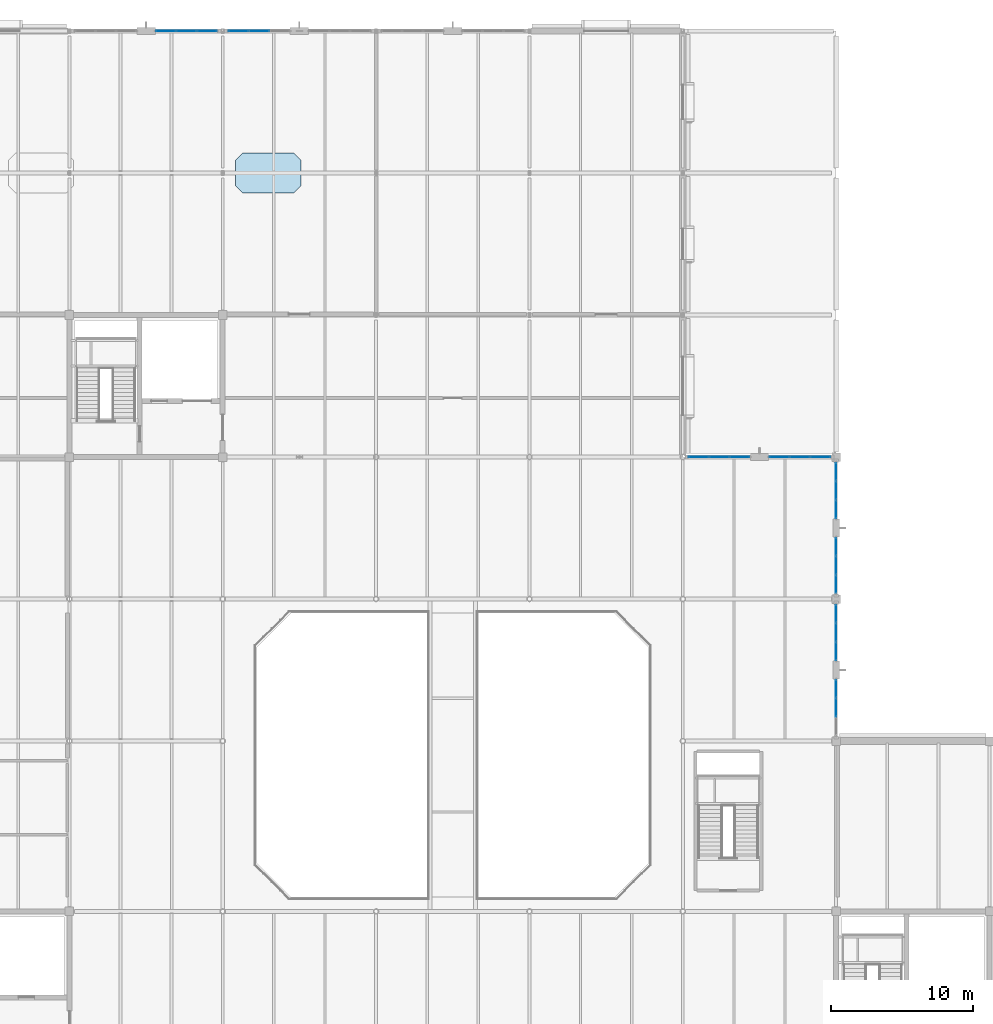
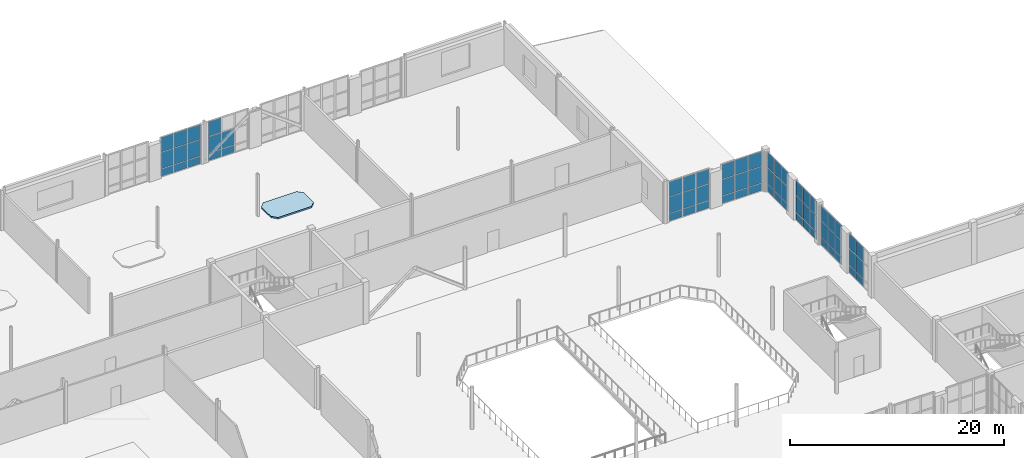
# One storey, part 69 of 100: 65 plates, 1 slab, 8 elements without a shape of their own.
"""IFC4 building model written with IfcOpenShell, lengths in metres."""

from ifc_helpers import new_model, si_unit, direction, frame, origin, origin_2d, place, context, subcontext, project, spatial, polyline, rectangle, outline, extrude, material, layer, layer_set, type_object, element, aggregate, save


model = new_model("IFC4")

# Units and contexts
model_context = context("Model", 3, precision=1e-05, world=origin(), true_north=direction((0.0, 1.0)))
body_context = subcontext(model_context, "Body", "Model", "MODEL_VIEW")
ifc_project = project(units=[si_unit("LENGTHUNIT", "METRE"), si_unit("AREAUNIT", "SQUARE_METRE"), si_unit("VOLUMEUNIT", "CUBIC_METRE"), si_unit("PLANEANGLEUNIT", "RADIAN"), si_unit("MASSUNIT", "GRAM", prefix="KILO")], contexts=[model_context])

# Site, building, storey
site_placement = place(None, origin())
site = spatial("IfcSite", under=ifc_project, at=site_placement, CompositionType="ELEMENT")
building_placement = place(site_placement, origin())
building = spatial("IfcBuilding", under=site, at=building_placement, Name="Tasgan Crest Museum", CompositionType="ELEMENT")
storey_placement = place(building_placement, frame((0.0, 0.0, 9.60009765625)))
storey = spatial("IfcBuildingStorey", under=building, at=storey_placement, Name="L02", CompositionType="ELEMENT", Elevation=9.60009765625)

# Curtain wall, plates
ifc_material_1 = material(Name="Triple-Glazed Aluminium Curtain Wall", Category="aluminium")
ifc_layer_1 = layer(ifc_material_1, 0.179931640625, Name="CW-DRUM-Y10-48")
ifc_layer_set_1 = layer_set([ifc_layer_1], Name="Triple-Glazed Aluminium Curtain Wall")
curtain_wall_type_1 = type_object("IfcCurtainWallType", Name="CW-DRUM-Y10-48", PredefinedType="NOTDEFINED", material=ifc_layer_set_1)
curtain_wall_1_placement = place(storey_placement, origin())
curtain_wall_1 = element("IfcCurtainWall", 1, at=curtain_wall_1_placement, inside=storey, type_object=curtain_wall_type_1, Name="Curtain wall L02 075", PredefinedType="NOTDEFINED")
ifc_material_2 = material(Name="Insulated Spandrel Glass", Category="glass")
ifc_layer_2 = layer(ifc_material_2, 0.052001953125, Name="CW-PANEL-SPANDREL")
ifc_layer_set_2 = layer_set([ifc_layer_2], Name="Insulated Spandrel Glass")
plate_type_1 = type_object("IfcPlateType", Name="CW-PANEL-SPANDREL", PredefinedType="CURTAIN_PANEL", material=ifc_layer_set_2)
plate_1_placement = place(storey_placement, frame((108.0, 64.360107421875, 0.059814453125), z_axis=(0.0, 0.0, 1.0), x_axis=(0.0, 1.0, 0.0)))
plate_1 = element("IfcPlate", 2, at=plate_1_placement, type_object=plate_type_1, Name="CW04 panel 2.1", PredefinedType="CURTAIN_PANEL", context=body_context, shape_type="SweptSolid", body=[
    extrude(rectangle(XDim=1.27001953125, YDim=0.028076171875, at=origin_2d()), origin(), (0.0, 0.0, 1.0), 0.81005859375),
])
plate_2_placement = place(storey_placement, frame((108.0, 65.675048828125, 0.059814453125), z_axis=(0.0, 0.0, 1.0), x_axis=(0.0, 1.0, 0.0)))
plate_2 = element("IfcPlate", 3, at=plate_2_placement, type_object=plate_type_1, Name="CW04 panel 3.1", PredefinedType="CURTAIN_PANEL", context=body_context, shape_type="SweptSolid", body=[
    extrude(rectangle(XDim=1.239990234375, YDim=0.028076171875, at=origin_2d()), origin(), (0.0, 0.0, 1.0), 0.81005859375),
])

curtain_wall_2_placement = place(storey_placement, origin())
curtain_wall_2 = element("IfcCurtainWall", 4, at=curtain_wall_2_placement, inside=storey, type_object=curtain_wall_type_1, Name="Curtain wall L02 076", PredefinedType="NOTDEFINED")
plate_3_placement = place(storey_placement, frame((108.0, 68.324951171875, 0.059814453125), z_axis=(0.0, 0.0, 1.0), x_axis=(0.0, 1.0, 0.0)))
plate_3 = element("IfcPlate", 5, at=plate_3_placement, type_object=plate_type_1, Name="CW04 panel 1.1", PredefinedType="CURTAIN_PANEL", context=body_context, shape_type="SweptSolid", body=[
    extrude(rectangle(XDim=1.239990234375, YDim=0.028076171875, at=origin_2d()), origin(), (0.0, 0.0, 1.0), 0.81005859375),
])
plate_4_placement = place(storey_placement, frame((108.0, 69.639892578125, 0.059814453125), z_axis=(0.0, 0.0, 1.0), x_axis=(0.0, 1.0, 0.0)))
plate_4 = element("IfcPlate", 6, at=plate_4_placement, type_object=plate_type_1, Name="CW04 panel 2.1", PredefinedType="CURTAIN_PANEL", context=body_context, shape_type="SweptSolid", body=[
    extrude(rectangle(XDim=1.27001953125, YDim=0.028076171875, at=origin_2d()), origin(), (0.0, 0.0, 1.0), 0.81005859375),
])
plate_5_placement = place(storey_placement, frame((108.0, 70.955078125, 0.059814453125), z_axis=(0.0, 0.0, 1.0), x_axis=(0.0, 1.0, 0.0)))
plate_5 = element("IfcPlate", 7, at=plate_5_placement, type_object=plate_type_1, Name="CW04 panel 3.1", PredefinedType="CURTAIN_PANEL", context=body_context, shape_type="SweptSolid", body=[
    extrude(rectangle(XDim=1.239990234375, YDim=0.028076171875, at=origin_2d()), origin(), (0.0, 0.0, 1.0), 0.81005859375),
])

curtain_wall_3_placement = place(storey_placement, origin())
curtain_wall_3 = element("IfcCurtainWall", 8, at=curtain_wall_3_placement, inside=storey, type_object=curtain_wall_type_1, Name="Curtain wall L02 077", PredefinedType="NOTDEFINED")
plate_6_placement = place(storey_placement, frame((108.0, 73.044921875, 0.059814453125), z_axis=(0.0, 0.0, 1.0), x_axis=(0.0, 1.0, 0.0)))
plate_6 = element("IfcPlate", 9, at=plate_6_placement, type_object=plate_type_1, Name="CW04 panel 1.1", PredefinedType="CURTAIN_PANEL", context=body_context, shape_type="SweptSolid", body=[
    extrude(rectangle(XDim=1.239990234375, YDim=0.028076171875, at=origin_2d()), origin(), (0.0, 0.0, 1.0), 0.81005859375),
])
plate_7_placement = place(storey_placement, frame((108.0, 74.360107421875, 0.059814453125), z_axis=(0.0, 0.0, 1.0), x_axis=(0.0, 1.0, 0.0)))
plate_7 = element("IfcPlate", 10, at=plate_7_placement, type_object=plate_type_1, Name="CW04 panel 2.1", PredefinedType="CURTAIN_PANEL", context=body_context, shape_type="SweptSolid", body=[
    extrude(rectangle(XDim=1.27001953125, YDim=0.028076171875, at=origin_2d()), origin(), (0.0, 0.0, 1.0), 0.81005859375),
])
plate_8_placement = place(storey_placement, frame((108.0, 75.675048828125, 0.059814453125), z_axis=(0.0, 0.0, 1.0), x_axis=(0.0, 1.0, 0.0)))
plate_8 = element("IfcPlate", 11, at=plate_8_placement, type_object=plate_type_1, Name="CW04 panel 3.1", PredefinedType="CURTAIN_PANEL", context=body_context, shape_type="SweptSolid", body=[
    extrude(rectangle(XDim=1.239990234375, YDim=0.028076171875, at=origin_2d()), origin(), (0.0, 0.0, 1.0), 0.81005859375),
])

curtain_wall_4_placement = place(storey_placement, origin())
curtain_wall_4 = element("IfcCurtainWall", 12, at=curtain_wall_4_placement, inside=storey, type_object=curtain_wall_type_1, Name="Curtain wall L02 078", PredefinedType="NOTDEFINED")
plate_9_placement = place(storey_placement, frame((108.0, 78.324951171875, 0.059814453125), z_axis=(0.0, 0.0, 1.0), x_axis=(0.0, 1.0, 0.0)))
plate_9 = element("IfcPlate", 13, at=plate_9_placement, type_object=plate_type_1, Name="CW04 panel 1.1", PredefinedType="CURTAIN_PANEL", context=body_context, shape_type="SweptSolid", body=[
    extrude(rectangle(XDim=1.239990234375, YDim=0.028076171875, at=origin_2d()), origin(), (0.0, 0.0, 1.0), 0.81005859375),
])
plate_10_placement = place(storey_placement, frame((108.0, 79.639892578125, 0.059814453125), z_axis=(0.0, 0.0, 1.0), x_axis=(0.0, 1.0, 0.0)))
plate_10 = element("IfcPlate", 14, at=plate_10_placement, type_object=plate_type_1, Name="CW04 panel 2.1", PredefinedType="CURTAIN_PANEL", context=body_context, shape_type="SweptSolid", body=[
    extrude(rectangle(XDim=1.27001953125, YDim=0.028076171875, at=origin_2d()), origin(), (0.0, 0.0, 1.0), 0.81005859375),
])
plate_11_placement = place(storey_placement, frame((108.0, 80.955078125, 0.059814453125), z_axis=(0.0, 0.0, 1.0), x_axis=(0.0, 1.0, 0.0)))
plate_11 = element("IfcPlate", 15, at=plate_11_placement, type_object=plate_type_1, Name="CW04 panel 3.1", PredefinedType="CURTAIN_PANEL", context=body_context, shape_type="SweptSolid", body=[
    extrude(rectangle(XDim=1.239990234375, YDim=0.028076171875, at=origin_2d()), origin(), (0.0, 0.0, 1.0), 0.81005859375),
])

ifc_material_3 = material(Name="Triple-Glazed Aluminium Curtain Wall", Category="aluminium")
ifc_layer_3 = layer(ifc_material_3, 0.179931640625, Name="CW-DRUM-X-48")
ifc_layer_set_3 = layer_set([ifc_layer_3], Name="Triple-Glazed Aluminium Curtain Wall")
curtain_wall_type_2 = type_object("IfcCurtainWallType", Name="CW-DRUM-X-48", PredefinedType="NOTDEFINED", material=ifc_layer_set_3)
curtain_wall_5_placement = place(storey_placement, origin())
curtain_wall_5 = element("IfcCurtainWall", 16, at=curtain_wall_5_placement, inside=storey, type_object=curtain_wall_type_2, Name="Curtain wall L02 079", PredefinedType="NOTDEFINED")
plate_12_placement = place(storey_placement, frame((106.888427734375, 82.0, 0.059814453125), z_axis=(0.0, 0.0, 1.0), x_axis=(-1.0, 0.0, 0.0)))
plate_12 = element("IfcPlate", 17, at=plate_12_placement, type_object=plate_type_1, Name="CW03 panel 1.1", PredefinedType="CURTAIN_PANEL", context=body_context, shape_type="SweptSolid", body=[
    extrude(rectangle(XDim=1.373291015625, YDim=0.028076171875, at=origin_2d()), origin(), (0.0, 0.0, 1.0), 0.81005859375),
])
plate_13_placement = place(storey_placement, frame((105.43994140625, 82.0, 0.059814453125), z_axis=(0.0, 0.0, 1.0), x_axis=(-1.0, 0.0, 0.0)))
plate_13 = element("IfcPlate", 18, at=plate_13_placement, type_object=plate_type_1, Name="CW03 panel 2.1", PredefinedType="CURTAIN_PANEL", context=body_context, shape_type="SweptSolid", body=[
    extrude(rectangle(XDim=1.4033203125, YDim=0.028076171875, at=origin_2d()), origin(), (0.0, 0.0, 1.0), 0.81005859375),
])
plate_14_placement = place(storey_placement, frame((103.99169921875, 82.0, 0.059814453125), z_axis=(0.0, 0.0, 1.0), x_axis=(-1.0, 0.0, 0.0)))
plate_14 = element("IfcPlate", 19, at=plate_14_placement, type_object=plate_type_1, Name="CW03 panel 3.1", PredefinedType="CURTAIN_PANEL", context=body_context, shape_type="SweptSolid", body=[
    extrude(rectangle(XDim=1.373291015625, YDim=0.028076171875, at=origin_2d()), origin(), (0.0, 0.0, 1.0), 0.81005859375),
])

curtain_wall_6_placement = place(storey_placement, origin())
curtain_wall_6 = element("IfcCurtainWall", 20, at=curtain_wall_6_placement, inside=storey, type_object=curtain_wall_type_2, Name="Curtain wall L02 080", PredefinedType="NOTDEFINED")
plate_15_placement = place(storey_placement, frame((101.208251953125, 82.0, 0.059814453125), z_axis=(0.0, 0.0, 1.0), x_axis=(-1.0, 0.0, 0.0)))
plate_15 = element("IfcPlate", 21, at=plate_15_placement, type_object=plate_type_1, Name="CW03 panel 1.1", PredefinedType="CURTAIN_PANEL", context=body_context, shape_type="SweptSolid", body=[
    extrude(rectangle(XDim=1.373291015625, YDim=0.028076171875, at=origin_2d()), origin(), (0.0, 0.0, 1.0), 0.81005859375),
])
plate_16_placement = place(storey_placement, frame((99.760009765625, 82.0, 0.059814453125), z_axis=(0.0, 0.0, 1.0), x_axis=(-1.0, 0.0, 0.0)))
plate_16 = element("IfcPlate", 22, at=plate_16_placement, type_object=plate_type_1, Name="CW03 panel 2.1", PredefinedType="CURTAIN_PANEL", context=body_context, shape_type="SweptSolid", body=[
    extrude(rectangle(XDim=1.4033203125, YDim=0.028076171875, at=origin_2d()), origin(), (0.0, 0.0, 1.0), 0.81005859375),
])
plate_17_placement = place(storey_placement, frame((98.311767578125, 82.0, 0.059814453125), z_axis=(0.0, 0.0, 1.0), x_axis=(-1.0, 0.0, 0.0)))
plate_17 = element("IfcPlate", 23, at=plate_17_placement, type_object=plate_type_1, Name="CW03 panel 3.1", PredefinedType="CURTAIN_PANEL", context=body_context, shape_type="SweptSolid", body=[
    extrude(rectangle(XDim=1.373291015625, YDim=0.028076171875, at=origin_2d()), origin(), (0.0, 0.0, 1.0), 0.81005859375),
])

ifc_material_4 = material(Name="Triple-Glazed Aluminium Curtain Wall", Category="aluminium")
ifc_layer_4 = layer(ifc_material_4, 0.179931640625, Name="CW-GAL-X-48")
ifc_layer_set_4 = layer_set([ifc_layer_4], Name="Triple-Glazed Aluminium Curtain Wall")
curtain_wall_type_3 = type_object("IfcCurtainWallType", Name="CW-GAL-X-48", PredefinedType="NOTDEFINED", material=ifc_layer_set_4)
curtain_wall_7_placement = place(storey_placement, origin())
curtain_wall_7 = element("IfcCurtainWall", 24, at=curtain_wall_7_placement, inside=storey, type_object=curtain_wall_type_3, Name="Curtain wall L02 084", PredefinedType="NOTDEFINED")
plate_18_placement = place(storey_placement, frame((67.360107421875, 112.0, 0.059814453125), z_axis=(0.0, 0.0, 1.0), x_axis=(-1.0, 0.0, 0.0)))
plate_18 = element("IfcPlate", 25, at=plate_18_placement, type_object=plate_type_1, Name="CW13 panel 2.1", PredefinedType="CURTAIN_PANEL", context=body_context, shape_type="SweptSolid", body=[
    extrude(rectangle(XDim=1.4033203125, YDim=0.028076171875, at=origin_2d()), origin(), (0.0, 0.0, 1.0), 0.81005859375),
])
plate_19_placement = place(storey_placement, frame((65.91162109375, 112.0, 0.059814453125), z_axis=(0.0, 0.0, 1.0), x_axis=(-1.0, 0.0, 0.0)))
plate_19 = element("IfcPlate", 26, at=plate_19_placement, type_object=plate_type_1, Name="CW13 panel 3.1", PredefinedType="CURTAIN_PANEL", context=body_context, shape_type="SweptSolid", body=[
    extrude(rectangle(XDim=1.373291015625, YDim=0.028076171875, at=origin_2d()), origin(), (0.0, 0.0, 1.0), 0.81005859375),
])

ifc_material_5 = material(Name="Triple-Glazed Aluminium Curtain Wall", Category="aluminium")
ifc_layer_5 = layer(ifc_material_5, 0.179931640625, Name="CW-CORE-STRIP-48")
ifc_layer_set_5 = layer_set([ifc_layer_5], Name="Triple-Glazed Aluminium Curtain Wall")
curtain_wall_type_4 = type_object("IfcCurtainWallType", Name="CW-CORE-STRIP-48", PredefinedType="NOTDEFINED", material=ifc_layer_set_5)
curtain_wall_8_placement = place(storey_placement, origin())
curtain_wall_8 = element("IfcCurtainWall", 27, at=curtain_wall_8_placement, inside=storey, type_object=curtain_wall_type_4, Name="Curtain wall L02 085", PredefinedType="NOTDEFINED")
plate_20_placement = place(storey_placement, frame((63.688232421875, 112.0, 0.059814453125), z_axis=(0.0, 0.0, 1.0), x_axis=(-1.0, 0.0, 0.0)))
plate_20 = element("IfcPlate", 28, at=plate_20_placement, type_object=plate_type_1, Name="CW19 panel 1.1", PredefinedType="CURTAIN_PANEL", context=body_context, shape_type="SweptSolid", body=[
    extrude(rectangle(XDim=1.373291015625, YDim=0.028076171875, at=origin_2d()), origin(), (0.0, 0.0, 1.0), 0.81005859375),
])
plate_21_placement = place(storey_placement, frame((62.239990234375, 112.0, 0.059814453125), z_axis=(0.0, 0.0, 1.0), x_axis=(-1.0, 0.0, 0.0)))
plate_21 = element("IfcPlate", 29, at=plate_21_placement, type_object=plate_type_1, Name="CW19 panel 2.1", PredefinedType="CURTAIN_PANEL", context=body_context, shape_type="SweptSolid", body=[
    extrude(rectangle(XDim=1.4033203125, YDim=0.028076171875, at=origin_2d()), origin(), (0.0, 0.0, 1.0), 0.81005859375),
])
plate_22_placement = place(storey_placement, frame((60.791748046875, 112.0, 0.059814453125), z_axis=(0.0, 0.0, 1.0), x_axis=(-1.0, 0.0, 0.0)))
plate_22 = element("IfcPlate", 30, at=plate_22_placement, type_object=plate_type_1, Name="CW19 panel 3.1", PredefinedType="CURTAIN_PANEL", context=body_context, shape_type="SweptSolid", body=[
    extrude(rectangle(XDim=1.373291015625, YDim=0.028076171875, at=origin_2d()), origin(), (0.0, 0.0, 1.0), 0.81005859375),
])

# Plate
ifc_material_6 = material(Name="Low-E Triple Glazing", Category="glass")
ifc_layer_6 = layer(ifc_material_6, 0.0439453125, Name="CW-PANEL-TRIPLE")
ifc_layer_set_6 = layer_set([ifc_layer_6], Name="Low-E Triple Glazing")
plate_type_2 = type_object("IfcPlateType", Name="CW-PANEL-TRIPLE", PredefinedType="CURTAIN_PANEL", material=ifc_layer_set_6)
plate_23_placement = place(storey_placement, frame((108.0, 64.360107421875, 0.9296875), z_axis=(0.0, 0.0, 1.0), x_axis=(0.0, 1.0, 0.0)))
plate_23 = element("IfcPlate", 31, at=plate_23_placement, type_object=plate_type_2, Name="CW04 panel 2.2", PredefinedType="CURTAIN_PANEL", context=body_context, shape_type="SweptSolid", body=[
    extrude(rectangle(XDim=1.27001953125, YDim=0.028076171875, at=origin_2d()), origin(), (0.0, 0.0, 1.0), 1.840087890625),
])

plate_24_placement = place(storey_placement, frame((108.0, 64.360107421875, 2.829833984375), z_axis=(0.0, 0.0, 1.0), x_axis=(0.0, 1.0, 0.0)))
plate_24 = element("IfcPlate", 32, at=plate_24_placement, type_object=plate_type_2, Name="CW04 panel 2.3", PredefinedType="CURTAIN_PANEL", context=body_context, shape_type="SweptSolid", body=[
    extrude(rectangle(XDim=1.27001953125, YDim=0.028076171875, at=origin_2d()), origin(), (0.0, 0.0, 1.0), 1.669921875),
])

plate_25_placement = place(storey_placement, frame((108.0, 65.675048828125, 0.9296875), z_axis=(0.0, 0.0, 1.0), x_axis=(0.0, 1.0, 0.0)))
plate_25 = element("IfcPlate", 33, at=plate_25_placement, type_object=plate_type_2, Name="CW04 panel 3.2", PredefinedType="CURTAIN_PANEL", context=body_context, shape_type="SweptSolid", body=[
    extrude(rectangle(XDim=1.239990234375, YDim=0.028076171875, at=origin_2d()), origin(), (0.0, 0.0, 1.0), 1.840087890625),
])

plate_26_placement = place(storey_placement, frame((108.0, 65.675048828125, 2.829833984375), z_axis=(0.0, 0.0, 1.0), x_axis=(0.0, 1.0, 0.0)))
plate_26 = element("IfcPlate", 34, at=plate_26_placement, type_object=plate_type_2, Name="CW04 panel 3.3", PredefinedType="CURTAIN_PANEL", context=body_context, shape_type="SweptSolid", body=[
    extrude(rectangle(XDim=1.239990234375, YDim=0.028076171875, at=origin_2d()), origin(), (0.0, 0.0, 1.0), 1.669921875),
])

aggregate(curtain_wall_1, [plate_1, plate_23, plate_24, plate_2, plate_25, plate_26])

plate_27_placement = place(storey_placement, frame((108.0, 68.324951171875, 0.9296875), z_axis=(0.0, 0.0, 1.0), x_axis=(0.0, 1.0, 0.0)))
plate_27 = element("IfcPlate", 35, at=plate_27_placement, type_object=plate_type_2, Name="CW04 panel 1.2", PredefinedType="CURTAIN_PANEL", context=body_context, shape_type="SweptSolid", body=[
    extrude(rectangle(XDim=1.239990234375, YDim=0.028076171875, at=origin_2d()), origin(), (0.0, 0.0, 1.0), 1.840087890625),
])

plate_28_placement = place(storey_placement, frame((108.0, 68.324951171875, 2.829833984375), z_axis=(0.0, 0.0, 1.0), x_axis=(0.0, 1.0, 0.0)))
plate_28 = element("IfcPlate", 36, at=plate_28_placement, type_object=plate_type_2, Name="CW04 panel 1.3", PredefinedType="CURTAIN_PANEL", context=body_context, shape_type="SweptSolid", body=[
    extrude(rectangle(XDim=1.239990234375, YDim=0.028076171875, at=origin_2d()), origin(), (0.0, 0.0, 1.0), 1.669921875),
])

plate_29_placement = place(storey_placement, frame((108.0, 69.639892578125, 0.9296875), z_axis=(0.0, 0.0, 1.0), x_axis=(0.0, 1.0, 0.0)))
plate_29 = element("IfcPlate", 37, at=plate_29_placement, type_object=plate_type_2, Name="CW04 panel 2.2", PredefinedType="CURTAIN_PANEL", context=body_context, shape_type="SweptSolid", body=[
    extrude(rectangle(XDim=1.27001953125, YDim=0.028076171875, at=origin_2d()), origin(), (0.0, 0.0, 1.0), 1.840087890625),
])

plate_30_placement = place(storey_placement, frame((108.0, 69.639892578125, 2.829833984375), z_axis=(0.0, 0.0, 1.0), x_axis=(0.0, 1.0, 0.0)))
plate_30 = element("IfcPlate", 38, at=plate_30_placement, type_object=plate_type_2, Name="CW04 panel 2.3", PredefinedType="CURTAIN_PANEL", context=body_context, shape_type="SweptSolid", body=[
    extrude(rectangle(XDim=1.27001953125, YDim=0.028076171875, at=origin_2d()), origin(), (0.0, 0.0, 1.0), 1.669921875),
])

plate_31_placement = place(storey_placement, frame((108.0, 70.955078125, 0.9296875), z_axis=(0.0, 0.0, 1.0), x_axis=(0.0, 1.0, 0.0)))
plate_31 = element("IfcPlate", 39, at=plate_31_placement, type_object=plate_type_2, Name="CW04 panel 3.2", PredefinedType="CURTAIN_PANEL", context=body_context, shape_type="SweptSolid", body=[
    extrude(rectangle(XDim=1.239990234375, YDim=0.028076171875, at=origin_2d()), origin(), (0.0, 0.0, 1.0), 1.840087890625),
])

plate_32_placement = place(storey_placement, frame((108.0, 70.955078125, 2.829833984375), z_axis=(0.0, 0.0, 1.0), x_axis=(0.0, 1.0, 0.0)))
plate_32 = element("IfcPlate", 40, at=plate_32_placement, type_object=plate_type_2, Name="CW04 panel 3.3", PredefinedType="CURTAIN_PANEL", context=body_context, shape_type="SweptSolid", body=[
    extrude(rectangle(XDim=1.239990234375, YDim=0.028076171875, at=origin_2d()), origin(), (0.0, 0.0, 1.0), 1.669921875),
])

aggregate(curtain_wall_2, [plate_3, plate_27, plate_28, plate_4, plate_29, plate_30, plate_5, plate_31, plate_32])

plate_33_placement = place(storey_placement, frame((108.0, 73.044921875, 0.9296875), z_axis=(0.0, 0.0, 1.0), x_axis=(0.0, 1.0, 0.0)))
plate_33 = element("IfcPlate", 41, at=plate_33_placement, type_object=plate_type_2, Name="CW04 panel 1.2", PredefinedType="CURTAIN_PANEL", context=body_context, shape_type="SweptSolid", body=[
    extrude(rectangle(XDim=1.239990234375, YDim=0.028076171875, at=origin_2d()), origin(), (0.0, 0.0, 1.0), 1.840087890625),
])

plate_34_placement = place(storey_placement, frame((108.0, 73.044921875, 2.829833984375), z_axis=(0.0, 0.0, 1.0), x_axis=(0.0, 1.0, 0.0)))
plate_34 = element("IfcPlate", 42, at=plate_34_placement, type_object=plate_type_2, Name="CW04 panel 1.3", PredefinedType="CURTAIN_PANEL", context=body_context, shape_type="SweptSolid", body=[
    extrude(rectangle(XDim=1.239990234375, YDim=0.028076171875, at=origin_2d()), origin(), (0.0, 0.0, 1.0), 1.669921875),
])

plate_35_placement = place(storey_placement, frame((108.0, 74.360107421875, 0.9296875), z_axis=(0.0, 0.0, 1.0), x_axis=(0.0, 1.0, 0.0)))
plate_35 = element("IfcPlate", 43, at=plate_35_placement, type_object=plate_type_2, Name="CW04 panel 2.2", PredefinedType="CURTAIN_PANEL", context=body_context, shape_type="SweptSolid", body=[
    extrude(rectangle(XDim=1.27001953125, YDim=0.028076171875, at=origin_2d()), origin(), (0.0, 0.0, 1.0), 1.840087890625),
])

plate_36_placement = place(storey_placement, frame((108.0, 74.360107421875, 2.829833984375), z_axis=(0.0, 0.0, 1.0), x_axis=(0.0, 1.0, 0.0)))
plate_36 = element("IfcPlate", 44, at=plate_36_placement, type_object=plate_type_2, Name="CW04 panel 2.3", PredefinedType="CURTAIN_PANEL", context=body_context, shape_type="SweptSolid", body=[
    extrude(rectangle(XDim=1.27001953125, YDim=0.028076171875, at=origin_2d()), origin(), (0.0, 0.0, 1.0), 1.669921875),
])

plate_37_placement = place(storey_placement, frame((108.0, 75.675048828125, 0.9296875), z_axis=(0.0, 0.0, 1.0), x_axis=(0.0, 1.0, 0.0)))
plate_37 = element("IfcPlate", 45, at=plate_37_placement, type_object=plate_type_2, Name="CW04 panel 3.2", PredefinedType="CURTAIN_PANEL", context=body_context, shape_type="SweptSolid", body=[
    extrude(rectangle(XDim=1.239990234375, YDim=0.028076171875, at=origin_2d()), origin(), (0.0, 0.0, 1.0), 1.840087890625),
])

plate_38_placement = place(storey_placement, frame((108.0, 75.675048828125, 2.829833984375), z_axis=(0.0, 0.0, 1.0), x_axis=(0.0, 1.0, 0.0)))
plate_38 = element("IfcPlate", 46, at=plate_38_placement, type_object=plate_type_2, Name="CW04 panel 3.3", PredefinedType="CURTAIN_PANEL", context=body_context, shape_type="SweptSolid", body=[
    extrude(rectangle(XDim=1.239990234375, YDim=0.028076171875, at=origin_2d()), origin(), (0.0, 0.0, 1.0), 1.669921875),
])

aggregate(curtain_wall_3, [plate_6, plate_33, plate_34, plate_7, plate_35, plate_36, plate_8, plate_37, plate_38])

plate_39_placement = place(storey_placement, frame((108.0, 78.324951171875, 0.9296875), z_axis=(0.0, 0.0, 1.0), x_axis=(0.0, 1.0, 0.0)))
plate_39 = element("IfcPlate", 47, at=plate_39_placement, type_object=plate_type_2, Name="CW04 panel 1.2", PredefinedType="CURTAIN_PANEL", context=body_context, shape_type="SweptSolid", body=[
    extrude(rectangle(XDim=1.239990234375, YDim=0.028076171875, at=origin_2d()), origin(), (0.0, 0.0, 1.0), 1.840087890625),
])

plate_40_placement = place(storey_placement, frame((108.0, 78.324951171875, 2.829833984375), z_axis=(0.0, 0.0, 1.0), x_axis=(0.0, 1.0, 0.0)))
plate_40 = element("IfcPlate", 48, at=plate_40_placement, type_object=plate_type_2, Name="CW04 panel 1.3", PredefinedType="CURTAIN_PANEL", context=body_context, shape_type="SweptSolid", body=[
    extrude(rectangle(XDim=1.239990234375, YDim=0.028076171875, at=origin_2d()), origin(), (0.0, 0.0, 1.0), 1.669921875),
])

plate_41_placement = place(storey_placement, frame((108.0, 79.639892578125, 0.9296875), z_axis=(0.0, 0.0, 1.0), x_axis=(0.0, 1.0, 0.0)))
plate_41 = element("IfcPlate", 49, at=plate_41_placement, type_object=plate_type_2, Name="CW04 panel 2.2", PredefinedType="CURTAIN_PANEL", context=body_context, shape_type="SweptSolid", body=[
    extrude(rectangle(XDim=1.27001953125, YDim=0.028076171875, at=origin_2d()), origin(), (0.0, 0.0, 1.0), 1.840087890625),
])

plate_42_placement = place(storey_placement, frame((108.0, 79.639892578125, 2.829833984375), z_axis=(0.0, 0.0, 1.0), x_axis=(0.0, 1.0, 0.0)))
plate_42 = element("IfcPlate", 50, at=plate_42_placement, type_object=plate_type_2, Name="CW04 panel 2.3", PredefinedType="CURTAIN_PANEL", context=body_context, shape_type="SweptSolid", body=[
    extrude(rectangle(XDim=1.27001953125, YDim=0.028076171875, at=origin_2d()), origin(), (0.0, 0.0, 1.0), 1.669921875),
])

plate_43_placement = place(storey_placement, frame((108.0, 80.955078125, 0.9296875), z_axis=(0.0, 0.0, 1.0), x_axis=(0.0, 1.0, 0.0)))
plate_43 = element("IfcPlate", 51, at=plate_43_placement, type_object=plate_type_2, Name="CW04 panel 3.2", PredefinedType="CURTAIN_PANEL", context=body_context, shape_type="SweptSolid", body=[
    extrude(rectangle(XDim=1.239990234375, YDim=0.028076171875, at=origin_2d()), origin(), (0.0, 0.0, 1.0), 1.840087890625),
])

plate_44_placement = place(storey_placement, frame((108.0, 80.955078125, 2.829833984375), z_axis=(0.0, 0.0, 1.0), x_axis=(0.0, 1.0, 0.0)))
plate_44 = element("IfcPlate", 52, at=plate_44_placement, type_object=plate_type_2, Name="CW04 panel 3.3", PredefinedType="CURTAIN_PANEL", context=body_context, shape_type="SweptSolid", body=[
    extrude(rectangle(XDim=1.239990234375, YDim=0.028076171875, at=origin_2d()), origin(), (0.0, 0.0, 1.0), 1.669921875),
])

aggregate(curtain_wall_4, [plate_9, plate_39, plate_40, plate_10, plate_41, plate_42, plate_11, plate_43, plate_44])

plate_45_placement = place(storey_placement, frame((106.888427734375, 82.0, 0.9296875), z_axis=(0.0, 0.0, 1.0), x_axis=(-1.0, 0.0, 0.0)))
plate_45 = element("IfcPlate", 53, at=plate_45_placement, type_object=plate_type_2, Name="CW03 panel 1.2", PredefinedType="CURTAIN_PANEL", context=body_context, shape_type="SweptSolid", body=[
    extrude(rectangle(XDim=1.373291015625, YDim=0.028076171875, at=origin_2d()), origin(), (0.0, 0.0, 1.0), 1.840087890625),
])

plate_46_placement = place(storey_placement, frame((106.888427734375, 82.0, 2.829833984375), z_axis=(0.0, 0.0, 1.0), x_axis=(-1.0, 0.0, 0.0)))
plate_46 = element("IfcPlate", 54, at=plate_46_placement, type_object=plate_type_2, Name="CW03 panel 1.3", PredefinedType="CURTAIN_PANEL", context=body_context, shape_type="SweptSolid", body=[
    extrude(rectangle(XDim=1.373291015625, YDim=0.028076171875, at=origin_2d()), origin(), (0.0, 0.0, 1.0), 1.669921875),
])

plate_47_placement = place(storey_placement, frame((105.43994140625, 82.0, 0.9296875), z_axis=(0.0, 0.0, 1.0), x_axis=(-1.0, 0.0, 0.0)))
plate_47 = element("IfcPlate", 55, at=plate_47_placement, type_object=plate_type_2, Name="CW03 panel 2.2", PredefinedType="CURTAIN_PANEL", context=body_context, shape_type="SweptSolid", body=[
    extrude(rectangle(XDim=1.4033203125, YDim=0.028076171875, at=origin_2d()), origin(), (0.0, 0.0, 1.0), 1.840087890625),
])

plate_48_placement = place(storey_placement, frame((105.43994140625, 82.0, 2.829833984375), z_axis=(0.0, 0.0, 1.0), x_axis=(-1.0, 0.0, 0.0)))
plate_48 = element("IfcPlate", 56, at=plate_48_placement, type_object=plate_type_2, Name="CW03 panel 2.3", PredefinedType="CURTAIN_PANEL", context=body_context, shape_type="SweptSolid", body=[
    extrude(rectangle(XDim=1.4033203125, YDim=0.028076171875, at=origin_2d()), origin(), (0.0, 0.0, 1.0), 1.669921875),
])

plate_49_placement = place(storey_placement, frame((103.99169921875, 82.0, 0.9296875), z_axis=(0.0, 0.0, 1.0), x_axis=(-1.0, 0.0, 0.0)))
plate_49 = element("IfcPlate", 57, at=plate_49_placement, type_object=plate_type_2, Name="CW03 panel 3.2", PredefinedType="CURTAIN_PANEL", context=body_context, shape_type="SweptSolid", body=[
    extrude(rectangle(XDim=1.373291015625, YDim=0.028076171875, at=origin_2d()), origin(), (0.0, 0.0, 1.0), 1.840087890625),
])

plate_50_placement = place(storey_placement, frame((103.99169921875, 82.0, 2.829833984375), z_axis=(0.0, 0.0, 1.0), x_axis=(-1.0, 0.0, 0.0)))
plate_50 = element("IfcPlate", 58, at=plate_50_placement, type_object=plate_type_2, Name="CW03 panel 3.3", PredefinedType="CURTAIN_PANEL", context=body_context, shape_type="SweptSolid", body=[
    extrude(rectangle(XDim=1.373291015625, YDim=0.028076171875, at=origin_2d()), origin(), (0.0, 0.0, 1.0), 1.669921875),
])

aggregate(curtain_wall_5, [plate_12, plate_45, plate_46, plate_13, plate_47, plate_48, plate_14, plate_49, plate_50])

plate_51_placement = place(storey_placement, frame((101.208251953125, 82.0, 0.9296875), z_axis=(0.0, 0.0, 1.0), x_axis=(-1.0, 0.0, 0.0)))
plate_51 = element("IfcPlate", 59, at=plate_51_placement, type_object=plate_type_2, Name="CW03 panel 1.2", PredefinedType="CURTAIN_PANEL", context=body_context, shape_type="SweptSolid", body=[
    extrude(rectangle(XDim=1.373291015625, YDim=0.028076171875, at=origin_2d()), origin(), (0.0, 0.0, 1.0), 1.840087890625),
])

plate_52_placement = place(storey_placement, frame((101.208251953125, 82.0, 2.829833984375), z_axis=(0.0, 0.0, 1.0), x_axis=(-1.0, 0.0, 0.0)))
plate_52 = element("IfcPlate", 60, at=plate_52_placement, type_object=plate_type_2, Name="CW03 panel 1.3", PredefinedType="CURTAIN_PANEL", context=body_context, shape_type="SweptSolid", body=[
    extrude(rectangle(XDim=1.373291015625, YDim=0.028076171875, at=origin_2d()), origin(), (0.0, 0.0, 1.0), 1.669921875),
])

plate_53_placement = place(storey_placement, frame((99.760009765625, 82.0, 0.9296875), z_axis=(0.0, 0.0, 1.0), x_axis=(-1.0, 0.0, 0.0)))
plate_53 = element("IfcPlate", 61, at=plate_53_placement, type_object=plate_type_2, Name="CW03 panel 2.2", PredefinedType="CURTAIN_PANEL", context=body_context, shape_type="SweptSolid", body=[
    extrude(rectangle(XDim=1.4033203125, YDim=0.028076171875, at=origin_2d()), origin(), (0.0, 0.0, 1.0), 1.840087890625),
])

plate_54_placement = place(storey_placement, frame((99.760009765625, 82.0, 2.829833984375), z_axis=(0.0, 0.0, 1.0), x_axis=(-1.0, 0.0, 0.0)))
plate_54 = element("IfcPlate", 62, at=plate_54_placement, type_object=plate_type_2, Name="CW03 panel 2.3", PredefinedType="CURTAIN_PANEL", context=body_context, shape_type="SweptSolid", body=[
    extrude(rectangle(XDim=1.4033203125, YDim=0.028076171875, at=origin_2d()), origin(), (0.0, 0.0, 1.0), 1.669921875),
])

plate_55_placement = place(storey_placement, frame((98.311767578125, 82.0, 0.9296875), z_axis=(0.0, 0.0, 1.0), x_axis=(-1.0, 0.0, 0.0)))
plate_55 = element("IfcPlate", 63, at=plate_55_placement, type_object=plate_type_2, Name="CW03 panel 3.2", PredefinedType="CURTAIN_PANEL", context=body_context, shape_type="SweptSolid", body=[
    extrude(rectangle(XDim=1.373291015625, YDim=0.028076171875, at=origin_2d()), origin(), (0.0, 0.0, 1.0), 1.840087890625),
])

plate_56_placement = place(storey_placement, frame((98.311767578125, 82.0, 2.829833984375), z_axis=(0.0, 0.0, 1.0), x_axis=(-1.0, 0.0, 0.0)))
plate_56 = element("IfcPlate", 64, at=plate_56_placement, type_object=plate_type_2, Name="CW03 panel 3.3", PredefinedType="CURTAIN_PANEL", context=body_context, shape_type="SweptSolid", body=[
    extrude(rectangle(XDim=1.373291015625, YDim=0.028076171875, at=origin_2d()), origin(), (0.0, 0.0, 1.0), 1.669921875),
])

aggregate(curtain_wall_6, [plate_15, plate_51, plate_52, plate_16, plate_53, plate_54, plate_17, plate_55, plate_56])

plate_57_placement = place(storey_placement, frame((67.360107421875, 112.0, 0.9296875), z_axis=(0.0, 0.0, 1.0), x_axis=(-1.0, 0.0, 0.0)))
plate_57 = element("IfcPlate", 65, at=plate_57_placement, type_object=plate_type_2, Name="CW13 panel 2.2", PredefinedType="CURTAIN_PANEL", context=body_context, shape_type="SweptSolid", body=[
    extrude(rectangle(XDim=1.4033203125, YDim=0.028076171875, at=origin_2d()), origin(), (0.0, 0.0, 1.0), 1.840087890625),
])

plate_58_placement = place(storey_placement, frame((65.91162109375, 112.0, 0.9296875), z_axis=(0.0, 0.0, 1.0), x_axis=(-1.0, 0.0, 0.0)))
plate_58 = element("IfcPlate", 66, at=plate_58_placement, type_object=plate_type_2, Name="CW13 panel 3.2", PredefinedType="CURTAIN_PANEL", context=body_context, shape_type="SweptSolid", body=[
    extrude(rectangle(XDim=1.373291015625, YDim=0.028076171875, at=origin_2d()), origin(), (0.0, 0.0, 1.0), 1.840087890625),
])

plate_59_placement = place(storey_placement, frame((65.91162109375, 112.0, 2.829833984375), z_axis=(0.0, 0.0, 1.0), x_axis=(-1.0, 0.0, 0.0)))
plate_59 = element("IfcPlate", 67, at=plate_59_placement, type_object=plate_type_2, Name="CW13 panel 3.3", PredefinedType="CURTAIN_PANEL", context=body_context, shape_type="SweptSolid", body=[
    extrude(rectangle(XDim=1.373291015625, YDim=0.028076171875, at=origin_2d()), origin(), (0.0, 0.0, 1.0), 1.669921875),
])

aggregate(curtain_wall_7, [plate_18, plate_57, plate_19, plate_58, plate_59])

plate_60_placement = place(storey_placement, frame((63.688232421875, 112.0, 0.9296875), z_axis=(0.0, 0.0, 1.0), x_axis=(-1.0, 0.0, 0.0)))
plate_60 = element("IfcPlate", 68, at=plate_60_placement, type_object=plate_type_2, Name="CW19 panel 1.2", PredefinedType="CURTAIN_PANEL", context=body_context, shape_type="SweptSolid", body=[
    extrude(rectangle(XDim=1.373291015625, YDim=0.028076171875, at=origin_2d()), origin(), (0.0, 0.0, 1.0), 1.840087890625),
])

plate_61_placement = place(storey_placement, frame((63.688232421875, 112.0, 2.829833984375), z_axis=(0.0, 0.0, 1.0), x_axis=(-1.0, 0.0, 0.0)))
plate_61 = element("IfcPlate", 69, at=plate_61_placement, type_object=plate_type_2, Name="CW19 panel 1.3", PredefinedType="CURTAIN_PANEL", context=body_context, shape_type="SweptSolid", body=[
    extrude(rectangle(XDim=1.373291015625, YDim=0.028076171875, at=origin_2d()), origin(), (0.0, 0.0, 1.0), 1.669921875),
])

plate_62_placement = place(storey_placement, frame((62.239990234375, 112.0, 0.9296875), z_axis=(0.0, 0.0, 1.0), x_axis=(-1.0, 0.0, 0.0)))
plate_62 = element("IfcPlate", 70, at=plate_62_placement, type_object=plate_type_2, Name="CW19 panel 2.2", PredefinedType="CURTAIN_PANEL", context=body_context, shape_type="SweptSolid", body=[
    extrude(rectangle(XDim=1.4033203125, YDim=0.028076171875, at=origin_2d()), origin(), (0.0, 0.0, 1.0), 1.840087890625),
])

plate_63_placement = place(storey_placement, frame((62.239990234375, 112.0, 2.829833984375), z_axis=(0.0, 0.0, 1.0), x_axis=(-1.0, 0.0, 0.0)))
plate_63 = element("IfcPlate", 71, at=plate_63_placement, type_object=plate_type_2, Name="CW19 panel 2.3", PredefinedType="CURTAIN_PANEL", context=body_context, shape_type="SweptSolid", body=[
    extrude(rectangle(XDim=1.4033203125, YDim=0.028076171875, at=origin_2d()), origin(), (0.0, 0.0, 1.0), 1.669921875),
])

plate_64_placement = place(storey_placement, frame((60.791748046875, 112.0, 0.9296875), z_axis=(0.0, 0.0, 1.0), x_axis=(-1.0, 0.0, 0.0)))
plate_64 = element("IfcPlate", 72, at=plate_64_placement, type_object=plate_type_2, Name="CW19 panel 3.2", PredefinedType="CURTAIN_PANEL", context=body_context, shape_type="SweptSolid", body=[
    extrude(rectangle(XDim=1.373291015625, YDim=0.028076171875, at=origin_2d()), origin(), (0.0, 0.0, 1.0), 1.840087890625),
])

plate_65_placement = place(storey_placement, frame((60.791748046875, 112.0, 2.829833984375), z_axis=(0.0, 0.0, 1.0), x_axis=(-1.0, 0.0, 0.0)))
plate_65 = element("IfcPlate", 73, at=plate_65_placement, type_object=plate_type_2, Name="CW19 panel 3.3", PredefinedType="CURTAIN_PANEL", context=body_context, shape_type="SweptSolid", body=[
    extrude(rectangle(XDim=1.373291015625, YDim=0.028076171875, at=origin_2d()), origin(), (0.0, 0.0, 1.0), 1.669921875),
])

aggregate(curtain_wall_8, [plate_20, plate_60, plate_61, plate_21, plate_62, plate_63, plate_22, plate_64, plate_65])

# Slab
ifc_material_7 = material(Name="Concrete C35/45", Category="concrete")
ifc_layer_7 = layer(ifc_material_7, 0.169921875, Name="SL-DAIS-T04")
ifc_layer_set_7 = layer_set([ifc_layer_7], Name="Concrete C35/45")
slab_type = type_object("IfcSlabType", Name="SL-DAIS-T04", PredefinedType="FLOOR", material=ifc_layer_set_7)
slab_placement = place(storey_placement, origin())
element("IfcSlab", 74, at=slab_placement, inside=storey, type_object=slab_type, Name="Exhibition specimen dais L02-24", PredefinedType="FLOOR", context=body_context, shape_type="SweptSolid", body=[
    extrude(outline(polyline([(66.199951171875, 100.60009765625), (69.800048828125, 100.60009765625), (70.300048828125, 101.10009765625), (70.300048828125, 102.89990234375), (69.800048828125, 103.39990234375), (66.199951171875, 103.39990234375), (65.699951171875, 102.89990234375), (65.699951171875, 101.10009765625), (66.199951171875, 100.60009765625)])), origin(), (0.0, 0.0, 1.0), 0.169921875),
])

save(model, "model.ifc")
